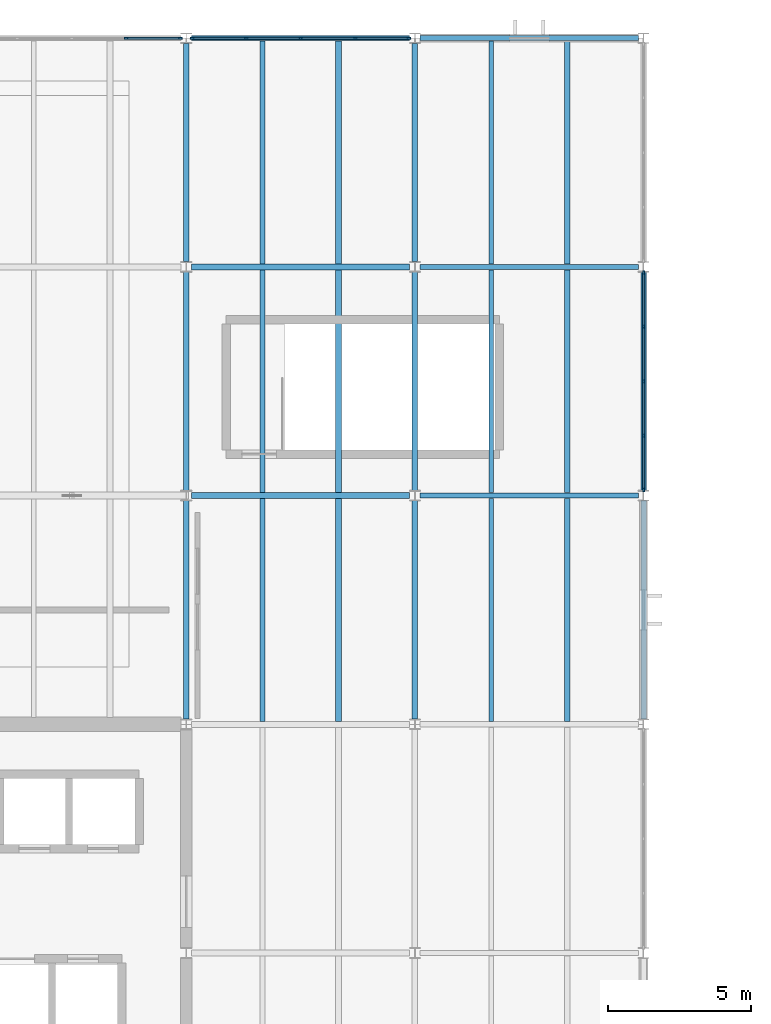
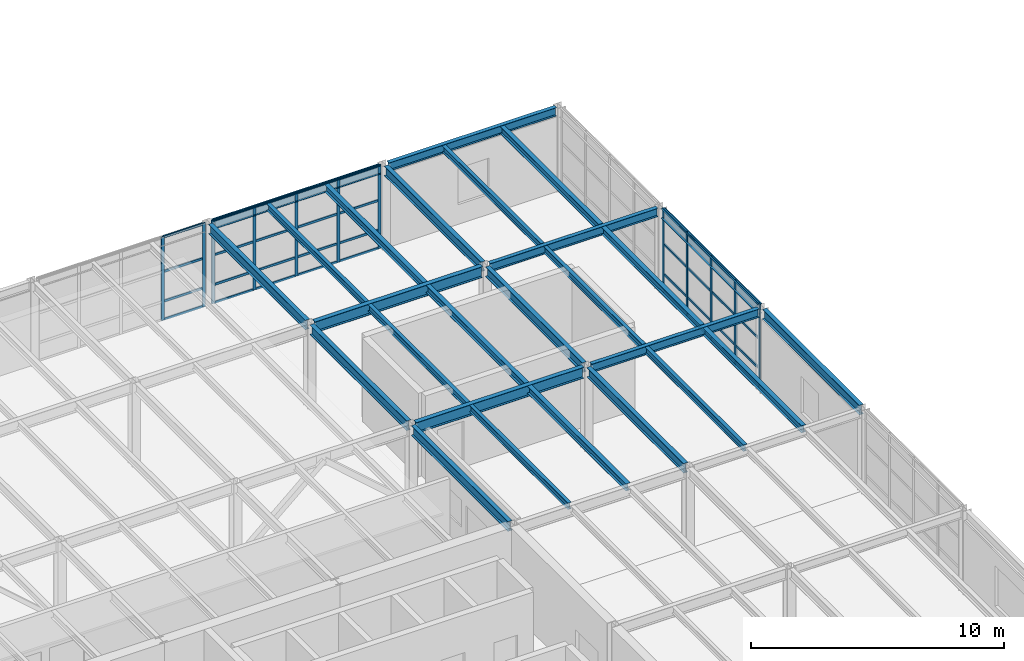
# One storey, part 15 of 34: 48 members, 26 beams, 3 elements without a shape of their own.
"""IFC4 building model written with IfcOpenShell, lengths in metres."""

from ifc_helpers import new_model, si_unit, direction, frame, origin, origin_2d, place, context, subcontext, project, spatial, rectangle, i_section, extrude, material, layer, layer_set, material_profile, profile_set, type_object, element, aggregate, save


model = new_model("IFC4")

# Units and contexts
model_context = context("Model", 3, precision=1e-05, world=origin(), true_north=direction((0.0, 1.0)))
body_context = subcontext(model_context, "Body", "Model", "MODEL_VIEW")
ifc_project = project(units=[si_unit("LENGTHUNIT", "METRE"), si_unit("AREAUNIT", "SQUARE_METRE"), si_unit("VOLUMEUNIT", "CUBIC_METRE"), si_unit("PLANEANGLEUNIT", "RADIAN"), si_unit("MASSUNIT", "GRAM", prefix="KILO")], contexts=[model_context])

# Site, building, storey
site_placement = place(None, origin())
site = spatial("IfcSite", under=ifc_project, at=site_placement, CompositionType="ELEMENT")
building_placement = place(site_placement, origin())
building = spatial("IfcBuilding", under=site, at=building_placement, Name="Varnela Railside Interchange", CompositionType="ELEMENT")
storey_placement = place(building_placement, frame((0.0, 0.0, 19.60009765625)))
storey = spatial("IfcBuildingStorey", under=building, at=storey_placement, Name="L04", CompositionType="ELEMENT", Elevation=19.60009765625)

# Beams
ifc_material_1 = material(Name="Steel AR 350 (350 MPa)", Category="steel")
ifc_material_profile_1 = material_profile(ifc_material_1, i_section(OverallWidth=0.1650390625, OverallDepth=0.31005859375, WebThickness=0.005859375, FlangeThickness=0.009765625, at=origin_2d()), Name="W310x38.7")
ifc_profile_set_1 = profile_set([ifc_material_profile_1], Name="Steel AR 350 (350 MPa)")
beam_type_1 = type_object("IfcBeamType", Name="Composite Floor Joist J-04", PredefinedType="JOIST", material=ifc_profile_set_1)
for number, where, z_axis, x_axis, name in (
    (1, (38.669921875, 70.1044921875, 3.864990234375), (0.0, 1.0, 0.0), (-1.0, 0.0, 0.0), "Composite Floor Joist J-04 (L04) (BM-2410)"),
    (2, (38.669921875, 78.1044921875, 3.864990234375), (0.0, 1.0, 0.0), (-1.0, 0.0, 0.0), "Composite Floor Joist J-04 (L04) (BM-2412)"),
    (3, (38.669921875, 86.1044921875, 3.864990234375), (0.0, 1.0, 0.0), (-1.0, 0.0, 0.0), "Composite Floor Joist J-04 (L04) (BM-2402)"),
    (4, (46.669921875, 70.1044921875, 3.864990234375), (0.0, 1.0, 0.0), (-1.0, 0.0, 0.0), "Composite Floor Joist J-04 (L04) (BM-2422)"),
    (5, (46.669921875, 78.1044921875, 3.864990234375), (0.0, 1.0, 0.0), (-1.0, 0.0, 0.0), "Composite Floor Joist J-04 (L04) (BM-2424)"),
    (6, (46.669921875, 86.1044921875, 3.864990234375), (0.0, 1.0, 0.0), (-1.0, 0.0, 0.0), "Composite Floor Joist J-04 (L04) (BM-2414)"),
):
    element("IfcBeam", number, at=place(storey_placement, frame(where, z_axis=z_axis, x_axis=x_axis)), inside=storey, type_object=beam_type_1, Name=name, PredefinedType="JOIST", context=body_context, shape_type="SweptSolid", body=[
        extrude(i_section(OverallWidth=0.1650390625, OverallDepth=0.31005859375, WebThickness=0.005859375, FlangeThickness=0.009765625, at=origin_2d()), origin(), (0.0, 0.0, 1.0), 7.791015625),
    ])
ifc_material_profile_2 = material_profile(ifc_material_1, i_section(OverallWidth=0.208984375, OverallDepth=0.532958984375, WebThickness=0.01025390625, FlangeThickness=0.015625, at=origin_2d()), Name="W530x92")
ifc_profile_set_2 = profile_set([ifc_material_profile_2], Name="Steel AR 350 (350 MPa)")
beam_type_2 = type_object("IfcBeamType", Name="Composite Girder B-18", PredefinedType="BEAM", material=ifc_profile_set_2)
for number, where, z_axis, x_axis, name in (
    (7, (36.18505859375, 78.0, 3.75341796875), (1.0, 0.0, 0.0), (0.0, 1.0, 0.0), "Composite Girder B-18 (L04) (BM-2456)"),
    (8, (36.18505859375, 86.0, 3.75341796875), (1.0, 0.0, 0.0), (0.0, 1.0, 0.0), "Composite Girder B-18 (L04) (BM-2465)"),
):
    element("IfcBeam", number, at=place(storey_placement, frame(where, z_axis=z_axis, x_axis=x_axis)), inside=storey, type_object=beam_type_2, Name=name, PredefinedType="BEAM", context=body_context, shape_type="SweptSolid", body=[
        extrude(i_section(OverallWidth=0.208984375, OverallDepth=0.532958984375, WebThickness=0.01025390625, FlangeThickness=0.015625, at=origin_2d()), origin(), (0.0, 0.0, 1.0), 7.6298828125),
    ])
ifc_material_profile_3 = material_profile(ifc_material_1, i_section(OverallWidth=0.202880859375, OverallDepth=0.346923828125, WebThickness=0.0078125, FlangeThickness=0.013427734375, at=origin_2d()), Name="W360x64")
ifc_profile_set_3 = profile_set([ifc_material_profile_3], Name="Steel AR 350 (350 MPa)")
beam_type_3 = type_object("IfcBeamType", Name="Composite Heavy Joist J-01", PredefinedType="JOIST", material=ifc_profile_set_3)
for number, where, z_axis, x_axis, name in (
    (9, (41.330078125, 70.1044921875, 3.846435546875), (0.0, 1.0, 0.0), (-1.0, 0.0, 0.0), "Composite Heavy Joist J-01 (L04) (BM-2411)"),
    (10, (41.330078125, 78.1044921875, 3.846435546875), (0.0, 1.0, 0.0), (-1.0, 0.0, 0.0), "Composite Heavy Joist J-01 (L04) (BM-2413)"),
    (11, (41.330078125, 86.1044921875, 3.846435546875), (0.0, 1.0, 0.0), (-1.0, 0.0, 0.0), "Composite Heavy Joist J-01 (L04) (BM-2403)"),
    (12, (49.330078125, 70.1044921875, 3.846435546875), (0.0, 1.0, 0.0), (-1.0, 0.0, 0.0), "Composite Heavy Joist J-01 (L04) (BM-2423)"),
    (13, (49.330078125, 78.1044921875, 3.846435546875), (0.0, 1.0, 0.0), (-1.0, 0.0, 0.0), "Composite Heavy Joist J-01 (L04) (BM-2425)"),
    (14, (49.330078125, 86.1044921875, 3.846435546875), (0.0, 1.0, 0.0), (-1.0, 0.0, 0.0), "Composite Heavy Joist J-01 (L04) (BM-2415)"),
):
    element("IfcBeam", number, at=place(storey_placement, frame(where, z_axis=z_axis, x_axis=x_axis)), inside=storey, type_object=beam_type_3, Name=name, PredefinedType="JOIST", context=body_context, shape_type="SweptSolid", body=[
        extrude(i_section(OverallWidth=0.202880859375, OverallDepth=0.346923828125, WebThickness=0.0078125, FlangeThickness=0.013427734375, at=origin_2d()), origin(), (0.0, 0.0, 1.0), 7.791015625),
    ])
ifc_material_profile_4 = material_profile(ifc_material_1, i_section(OverallWidth=0.194091796875, OverallDepth=0.468994140625, WebThickness=0.0126953125, FlangeThickness=0.0205078125, at=origin_2d()), Name="W460x106")
ifc_profile_set_4 = profile_set([ifc_material_profile_4], Name="Steel AR 350 (350 MPa)")
beam_type_4 = type_object("IfcBeamType", Name="Composite Primary Beam B-19", PredefinedType="BEAM", material=ifc_profile_set_4)
beam_placement = place(storey_placement, frame((36.0, 70.18408203125, 3.785400390625), z_axis=(0.0, 1.0, 0.0), x_axis=(-1.0, 0.0, 0.0)))
element("IfcBeam", 15, at=beam_placement, inside=storey, type_object=beam_type_4, Name="Composite Primary Beam B-19 (L04) (BM-2516)", PredefinedType="BEAM", context=body_context, shape_type="SweptSolid", body=[
    extrude(i_section(OverallWidth=0.194091796875, OverallDepth=0.468994140625, WebThickness=0.0126953125, FlangeThickness=0.0205078125, at=origin_2d()), origin(), (0.0, 0.0, 1.0), 7.635986328125),
])
for number, where, z_axis, x_axis, name in (
    (16, (36.0, 78.179931640625, 3.785400390625), (0.0, 1.0, 0.0), (-1.0, 0.0, 0.0), "Composite Primary Beam B-19 (L04) (BM-2517)"),
    (17, (44.0, 70.179931640625, 3.785400390625), (0.0, 1.0, 0.0), (-1.0, 0.0, 0.0), "Composite Primary Beam B-19 (L04) (BM-2522)"),
    (18, (44.0, 78.179931640625, 3.785400390625), (0.0, 1.0, 0.0), (-1.0, 0.0, 0.0), "Composite Primary Beam B-19 (L04) (BM-2523)"),
):
    element("IfcBeam", number, at=place(storey_placement, frame(where, z_axis=z_axis, x_axis=x_axis)), inside=storey, type_object=beam_type_4, Name=name, PredefinedType="BEAM", context=body_context, shape_type="SweptSolid", body=[
        extrude(i_section(OverallWidth=0.194091796875, OverallDepth=0.468994140625, WebThickness=0.0126953125, FlangeThickness=0.0205078125, at=origin_2d()), origin(), (0.0, 0.0, 1.0), 7.64013671875),
    ])

# Curtain wall, members
ifc_material_2 = material(Name="Aluminium 6063-T6", Category="aluminium")
ifc_layer = layer(ifc_material_2, 0.035888671875)
ifc_layer_set = layer_set([ifc_layer], Name="Aluminium 6063-T6")
curtain_wall_type = type_object("IfcCurtainWallType", Name="Operations Wing Facade Curtain Wall CW-03", PredefinedType="USERDEFINED", material=ifc_layer_set)
curtain_wall_1_placement = place(storey_placement, origin())
curtain_wall_1 = element("IfcCurtainWall", 19, at=curtain_wall_1_placement, inside=storey, type_object=curtain_wall_type, Name="Curtain Wall CW-03 (L04) (CW-107)", ObjectType="CURTAIN WALL", PredefinedType="USERDEFINED")
ifc_material_profile_5 = material_profile(ifc_material_2, rectangle(XDim=0.06005859375, YDim=0.139892578125, at=origin_2d()), Name="ALU 60x140")
ifc_profile_set_5 = profile_set([ifc_material_profile_5], Name="Aluminium 6063-T6")
member_type_1 = type_object("IfcMemberType", Name="Curtain Wall Mullion ML-01", PredefinedType="MULLION", material=ifc_profile_set_5)
member_1_placement = place(storey_placement, frame((33.907470703125, 94.0, 0.0), z_axis=(0.0, 0.0, 1.0), x_axis=(0.0, 1.0, 0.0)))
member_1 = element("IfcMember", 20, at=member_1_placement, type_object=member_type_1, Name="CW-03 mullion 4", PredefinedType="MULLION", context=body_context, shape_type="SweptSolid", body=[
    extrude(rectangle(XDim=0.06005859375, YDim=0.139892578125, at=origin_2d()), origin(), (0.0, 0.0, 1.0), 4.02001953125),
])
member_2_placement = place(storey_placement, frame((35.784912109375, 94.0, 0.0), z_axis=(0.0, 0.0, 1.0), x_axis=(0.0, 1.0, 0.0)))
member_2 = element("IfcMember", 21, at=member_2_placement, type_object=member_type_1, Name="CW-03 mullion 5", PredefinedType="MULLION", context=body_context, shape_type="SweptSolid", body=[
    extrude(rectangle(XDim=0.06005859375, YDim=0.139892578125, at=origin_2d()), origin(), (0.0, 0.0, 1.0), 4.02001953125),
])

curtain_wall_2_placement = place(storey_placement, origin())
curtain_wall_2 = element("IfcCurtainWall", 22, at=curtain_wall_2_placement, inside=storey, type_object=curtain_wall_type, Name="Curtain Wall CW-03 (L04) (CW-108)", ObjectType="CURTAIN WALL", PredefinedType="USERDEFINED")
member_3_placement = place(storey_placement, frame((36.215087890625, 94.0, 0.0), z_axis=(0.0, 0.0, 1.0), x_axis=(0.0, 1.0, 0.0)))
member_3 = element("IfcMember", 23, at=member_3_placement, type_object=member_type_1, Name="CW-03 mullion 1", PredefinedType="MULLION", context=body_context, shape_type="SweptSolid", body=[
    extrude(rectangle(XDim=0.06005859375, YDim=0.139892578125, at=origin_2d()), origin(), (0.0, 0.0, 1.0), 4.02001953125),
])
member_4_placement = place(storey_placement, frame((38.092529296875, 94.0, 0.0), z_axis=(0.0, 0.0, 1.0), x_axis=(0.0, 1.0, 0.0)))
member_4 = element("IfcMember", 24, at=member_4_placement, type_object=member_type_1, Name="CW-03 mullion 2", PredefinedType="MULLION", context=body_context, shape_type="SweptSolid", body=[
    extrude(rectangle(XDim=0.06005859375, YDim=0.139892578125, at=origin_2d()), origin(), (0.0, 0.0, 1.0), 4.02001953125),
])
member_5_placement = place(storey_placement, frame((40.0, 94.0, 0.0), z_axis=(0.0, 0.0, 1.0), x_axis=(0.0, 1.0, 0.0)))
member_5 = element("IfcMember", 25, at=member_5_placement, type_object=member_type_1, Name="CW-03 mullion 3", PredefinedType="MULLION", context=body_context, shape_type="SweptSolid", body=[
    extrude(rectangle(XDim=0.06005859375, YDim=0.139892578125, at=origin_2d()), origin(), (0.0, 0.0, 1.0), 4.02001953125),
])
member_6_placement = place(storey_placement, frame((41.907470703125, 94.0, 0.0), z_axis=(0.0, 0.0, 1.0), x_axis=(0.0, 1.0, 0.0)))
member_6 = element("IfcMember", 26, at=member_6_placement, type_object=member_type_1, Name="CW-03 mullion 4", PredefinedType="MULLION", context=body_context, shape_type="SweptSolid", body=[
    extrude(rectangle(XDim=0.06005859375, YDim=0.139892578125, at=origin_2d()), origin(), (0.0, 0.0, 1.0), 4.02001953125),
])
member_7_placement = place(storey_placement, frame((43.784912109375, 94.0, 0.0), z_axis=(0.0, 0.0, 1.0), x_axis=(0.0, 1.0, 0.0)))
member_7 = element("IfcMember", 27, at=member_7_placement, type_object=member_type_1, Name="CW-03 mullion 5", PredefinedType="MULLION", context=body_context, shape_type="SweptSolid", body=[
    extrude(rectangle(XDim=0.06005859375, YDim=0.139892578125, at=origin_2d()), origin(), (0.0, 0.0, 1.0), 4.02001953125),
])

curtain_wall_3_placement = place(storey_placement, origin())
curtain_wall_3 = element("IfcCurtainWall", 28, at=curtain_wall_3_placement, inside=storey, type_object=curtain_wall_type, Name="Curtain Wall CW-03 (L04) (CW-111)", ObjectType="CURTAIN WALL", PredefinedType="USERDEFINED")
member_8_placement = place(storey_placement, frame((52.0, 85.7900390625, 0.0), z_axis=(0.0, 0.0, 1.0), x_axis=(1.0, 0.0, 0.0)))
member_8 = element("IfcMember", 29, at=member_8_placement, type_object=member_type_1, Name="CW-03 mullion 1", PredefinedType="MULLION", context=body_context, shape_type="SweptSolid", body=[
    extrude(rectangle(XDim=0.06005859375, YDim=0.139892578125, at=origin_2d()), origin(), (0.0, 0.0, 1.0), 4.02001953125),
])
member_9_placement = place(storey_placement, frame((52.0, 83.909912109375, 0.0), z_axis=(0.0, 0.0, 1.0), x_axis=(1.0, 0.0, 0.0)))
member_9 = element("IfcMember", 30, at=member_9_placement, type_object=member_type_1, Name="CW-03 mullion 2", PredefinedType="MULLION", context=body_context, shape_type="SweptSolid", body=[
    extrude(rectangle(XDim=0.06005859375, YDim=0.139892578125, at=origin_2d()), origin(), (0.0, 0.0, 1.0), 4.02001953125),
])
member_10_placement = place(storey_placement, frame((52.0, 82.0, 0.0), z_axis=(0.0, 0.0, 1.0), x_axis=(1.0, 0.0, 0.0)))
member_10 = element("IfcMember", 31, at=member_10_placement, type_object=member_type_1, Name="CW-03 mullion 3", PredefinedType="MULLION", context=body_context, shape_type="SweptSolid", body=[
    extrude(rectangle(XDim=0.06005859375, YDim=0.139892578125, at=origin_2d()), origin(), (0.0, 0.0, 1.0), 4.02001953125),
])
member_11_placement = place(storey_placement, frame((52.0, 80.090087890625, 0.0), z_axis=(0.0, 0.0, 1.0), x_axis=(1.0, 0.0, 0.0)))
member_11 = element("IfcMember", 32, at=member_11_placement, type_object=member_type_1, Name="CW-03 mullion 4", PredefinedType="MULLION", context=body_context, shape_type="SweptSolid", body=[
    extrude(rectangle(XDim=0.06005859375, YDim=0.139892578125, at=origin_2d()), origin(), (0.0, 0.0, 1.0), 4.02001953125),
])
member_12_placement = place(storey_placement, frame((52.0, 78.2099609375, 0.0), z_axis=(0.0, 0.0, 1.0), x_axis=(1.0, 0.0, 0.0)))
member_12 = element("IfcMember", 33, at=member_12_placement, type_object=member_type_1, Name="CW-03 mullion 5", PredefinedType="MULLION", context=body_context, shape_type="SweptSolid", body=[
    extrude(rectangle(XDim=0.06005859375, YDim=0.139892578125, at=origin_2d()), origin(), (0.0, 0.0, 1.0), 4.02001953125),
])

# Member
ifc_material_profile_6 = material_profile(ifc_material_2, rectangle(XDim=0.06005859375, YDim=0.110107421875, at=origin_2d()), Name="ALU 60x110")
ifc_profile_set_6 = profile_set([ifc_material_profile_6], Name="Aluminium 6063-T6")
member_type_2 = type_object("IfcMemberType", Name="Curtain Wall Transom TR-01", PredefinedType="USERDEFINED", material=ifc_profile_set_6)
member_13_placement = place(storey_placement, frame((33.9375, 94.0, 0.02978515625), z_axis=(1.0, 0.0, 0.0), x_axis=(0.0, 1.0, 0.0)))
member_13 = element("IfcMember", 34, at=member_13_placement, type_object=member_type_2, Name="CW-03 transom 4.1", ObjectType="TRANSOM", PredefinedType="USERDEFINED", context=body_context, shape_type="SweptSolid", body=[
    extrude(rectangle(XDim=0.06005859375, YDim=0.110107421875, at=origin_2d()), origin(), (0.0, 0.0, 1.0), 1.8173828125),
])

member_14_placement = place(storey_placement, frame((33.9375, 94.0, 0.89990234375), z_axis=(1.0, 0.0, 0.0), x_axis=(0.0, 1.0, 0.0)))
member_14 = element("IfcMember", 35, at=member_14_placement, type_object=member_type_2, Name="CW-03 transom 4.2", ObjectType="TRANSOM", PredefinedType="USERDEFINED", context=body_context, shape_type="SweptSolid", body=[
    extrude(rectangle(XDim=0.06005859375, YDim=0.110107421875, at=origin_2d()), origin(), (0.0, 0.0, 1.0), 1.8173828125),
])

member_15_placement = place(storey_placement, frame((33.9375, 94.0, 2.33154296875), z_axis=(1.0, 0.0, 0.0), x_axis=(0.0, 1.0, 0.0)))
member_15 = element("IfcMember", 36, at=member_15_placement, type_object=member_type_2, Name="CW-03 transom 4.3", ObjectType="TRANSOM", PredefinedType="USERDEFINED", context=body_context, shape_type="SweptSolid", body=[
    extrude(rectangle(XDim=0.06005859375, YDim=0.110107421875, at=origin_2d()), origin(), (0.0, 0.0, 1.0), 1.8173828125),
])

member_16_placement = place(storey_placement, frame((33.9375, 94.0, 3.989990234375), z_axis=(1.0, 0.0, 0.0), x_axis=(0.0, 1.0, 0.0)))
member_16 = element("IfcMember", 37, at=member_16_placement, type_object=member_type_2, Name="CW-03 transom 4.4", ObjectType="TRANSOM", PredefinedType="USERDEFINED", context=body_context, shape_type="SweptSolid", body=[
    extrude(rectangle(XDim=0.06005859375, YDim=0.110107421875, at=origin_2d()), origin(), (0.0, 0.0, 1.0), 1.8173828125),
])

aggregate(curtain_wall_1, [member_1, member_2, member_13, member_14, member_15, member_16])

member_17_placement = place(storey_placement, frame((36.2451171875, 94.0, 0.02978515625), z_axis=(1.0, 0.0, 0.0), x_axis=(0.0, 1.0, 0.0)))
member_17 = element("IfcMember", 38, at=member_17_placement, type_object=member_type_2, Name="CW-03 transom 1.1", ObjectType="TRANSOM", PredefinedType="USERDEFINED", context=body_context, shape_type="SweptSolid", body=[
    extrude(rectangle(XDim=0.06005859375, YDim=0.110107421875, at=origin_2d()), origin(), (0.0, 0.0, 1.0), 1.8173828125),
])

member_18_placement = place(storey_placement, frame((36.2451171875, 94.0, 0.89990234375), z_axis=(1.0, 0.0, 0.0), x_axis=(0.0, 1.0, 0.0)))
member_18 = element("IfcMember", 39, at=member_18_placement, type_object=member_type_2, Name="CW-03 transom 1.2", ObjectType="TRANSOM", PredefinedType="USERDEFINED", context=body_context, shape_type="SweptSolid", body=[
    extrude(rectangle(XDim=0.06005859375, YDim=0.110107421875, at=origin_2d()), origin(), (0.0, 0.0, 1.0), 1.8173828125),
])

member_19_placement = place(storey_placement, frame((36.2451171875, 94.0, 2.33154296875), z_axis=(1.0, 0.0, 0.0), x_axis=(0.0, 1.0, 0.0)))
member_19 = element("IfcMember", 40, at=member_19_placement, type_object=member_type_2, Name="CW-03 transom 1.3", ObjectType="TRANSOM", PredefinedType="USERDEFINED", context=body_context, shape_type="SweptSolid", body=[
    extrude(rectangle(XDim=0.06005859375, YDim=0.110107421875, at=origin_2d()), origin(), (0.0, 0.0, 1.0), 1.8173828125),
])

member_20_placement = place(storey_placement, frame((36.2451171875, 94.0, 3.989990234375), z_axis=(1.0, 0.0, 0.0), x_axis=(0.0, 1.0, 0.0)))
member_20 = element("IfcMember", 41, at=member_20_placement, type_object=member_type_2, Name="CW-03 transom 1.4", ObjectType="TRANSOM", PredefinedType="USERDEFINED", context=body_context, shape_type="SweptSolid", body=[
    extrude(rectangle(XDim=0.06005859375, YDim=0.110107421875, at=origin_2d()), origin(), (0.0, 0.0, 1.0), 1.8173828125),
])

member_21_placement = place(storey_placement, frame((38.12255859375, 94.0, 0.02978515625), z_axis=(1.0, 0.0, 0.0), x_axis=(0.0, 1.0, 0.0)))
member_21 = element("IfcMember", 42, at=member_21_placement, type_object=member_type_2, Name="CW-03 transom 2.1", ObjectType="TRANSOM", PredefinedType="USERDEFINED", context=body_context, shape_type="SweptSolid", body=[
    extrude(rectangle(XDim=0.06005859375, YDim=0.110107421875, at=origin_2d()), origin(), (0.0, 0.0, 1.0), 1.847412109375),
])

member_22_placement = place(storey_placement, frame((38.12255859375, 94.0, 0.89990234375), z_axis=(1.0, 0.0, 0.0), x_axis=(0.0, 1.0, 0.0)))
member_22 = element("IfcMember", 43, at=member_22_placement, type_object=member_type_2, Name="CW-03 transom 2.2", ObjectType="TRANSOM", PredefinedType="USERDEFINED", context=body_context, shape_type="SweptSolid", body=[
    extrude(rectangle(XDim=0.06005859375, YDim=0.110107421875, at=origin_2d()), origin(), (0.0, 0.0, 1.0), 1.847412109375),
])

member_23_placement = place(storey_placement, frame((38.12255859375, 94.0, 2.33154296875), z_axis=(1.0, 0.0, 0.0), x_axis=(0.0, 1.0, 0.0)))
member_23 = element("IfcMember", 44, at=member_23_placement, type_object=member_type_2, Name="CW-03 transom 2.3", ObjectType="TRANSOM", PredefinedType="USERDEFINED", context=body_context, shape_type="SweptSolid", body=[
    extrude(rectangle(XDim=0.06005859375, YDim=0.110107421875, at=origin_2d()), origin(), (0.0, 0.0, 1.0), 1.847412109375),
])

member_24_placement = place(storey_placement, frame((38.12255859375, 94.0, 3.989990234375), z_axis=(1.0, 0.0, 0.0), x_axis=(0.0, 1.0, 0.0)))
member_24 = element("IfcMember", 45, at=member_24_placement, type_object=member_type_2, Name="CW-03 transom 2.4", ObjectType="TRANSOM", PredefinedType="USERDEFINED", context=body_context, shape_type="SweptSolid", body=[
    extrude(rectangle(XDim=0.06005859375, YDim=0.110107421875, at=origin_2d()), origin(), (0.0, 0.0, 1.0), 1.847412109375),
])

member_25_placement = place(storey_placement, frame((40.030029296875, 94.0, 0.02978515625), z_axis=(1.0, 0.0, 0.0), x_axis=(0.0, 1.0, 0.0)))
member_25 = element("IfcMember", 46, at=member_25_placement, type_object=member_type_2, Name="CW-03 transom 3.1", ObjectType="TRANSOM", PredefinedType="USERDEFINED", context=body_context, shape_type="SweptSolid", body=[
    extrude(rectangle(XDim=0.06005859375, YDim=0.110107421875, at=origin_2d()), origin(), (0.0, 0.0, 1.0), 1.847412109375),
])

member_26_placement = place(storey_placement, frame((40.030029296875, 94.0, 0.89990234375), z_axis=(1.0, 0.0, 0.0), x_axis=(0.0, 1.0, 0.0)))
member_26 = element("IfcMember", 47, at=member_26_placement, type_object=member_type_2, Name="CW-03 transom 3.2", ObjectType="TRANSOM", PredefinedType="USERDEFINED", context=body_context, shape_type="SweptSolid", body=[
    extrude(rectangle(XDim=0.06005859375, YDim=0.110107421875, at=origin_2d()), origin(), (0.0, 0.0, 1.0), 1.847412109375),
])

member_27_placement = place(storey_placement, frame((40.030029296875, 94.0, 2.33154296875), z_axis=(1.0, 0.0, 0.0), x_axis=(0.0, 1.0, 0.0)))
member_27 = element("IfcMember", 48, at=member_27_placement, type_object=member_type_2, Name="CW-03 transom 3.3", ObjectType="TRANSOM", PredefinedType="USERDEFINED", context=body_context, shape_type="SweptSolid", body=[
    extrude(rectangle(XDim=0.06005859375, YDim=0.110107421875, at=origin_2d()), origin(), (0.0, 0.0, 1.0), 1.847412109375),
])

member_28_placement = place(storey_placement, frame((40.030029296875, 94.0, 3.989990234375), z_axis=(1.0, 0.0, 0.0), x_axis=(0.0, 1.0, 0.0)))
member_28 = element("IfcMember", 49, at=member_28_placement, type_object=member_type_2, Name="CW-03 transom 3.4", ObjectType="TRANSOM", PredefinedType="USERDEFINED", context=body_context, shape_type="SweptSolid", body=[
    extrude(rectangle(XDim=0.06005859375, YDim=0.110107421875, at=origin_2d()), origin(), (0.0, 0.0, 1.0), 1.847412109375),
])

member_29_placement = place(storey_placement, frame((41.9375, 94.0, 0.02978515625), z_axis=(1.0, 0.0, 0.0), x_axis=(0.0, 1.0, 0.0)))
member_29 = element("IfcMember", 50, at=member_29_placement, type_object=member_type_2, Name="CW-03 transom 4.1", ObjectType="TRANSOM", PredefinedType="USERDEFINED", context=body_context, shape_type="SweptSolid", body=[
    extrude(rectangle(XDim=0.06005859375, YDim=0.110107421875, at=origin_2d()), origin(), (0.0, 0.0, 1.0), 1.8173828125),
])

member_30_placement = place(storey_placement, frame((41.9375, 94.0, 0.89990234375), z_axis=(1.0, 0.0, 0.0), x_axis=(0.0, 1.0, 0.0)))
member_30 = element("IfcMember", 51, at=member_30_placement, type_object=member_type_2, Name="CW-03 transom 4.2", ObjectType="TRANSOM", PredefinedType="USERDEFINED", context=body_context, shape_type="SweptSolid", body=[
    extrude(rectangle(XDim=0.06005859375, YDim=0.110107421875, at=origin_2d()), origin(), (0.0, 0.0, 1.0), 1.8173828125),
])

member_31_placement = place(storey_placement, frame((41.9375, 94.0, 2.33154296875), z_axis=(1.0, 0.0, 0.0), x_axis=(0.0, 1.0, 0.0)))
member_31 = element("IfcMember", 52, at=member_31_placement, type_object=member_type_2, Name="CW-03 transom 4.3", ObjectType="TRANSOM", PredefinedType="USERDEFINED", context=body_context, shape_type="SweptSolid", body=[
    extrude(rectangle(XDim=0.06005859375, YDim=0.110107421875, at=origin_2d()), origin(), (0.0, 0.0, 1.0), 1.8173828125),
])

member_32_placement = place(storey_placement, frame((41.9375, 94.0, 3.989990234375), z_axis=(1.0, 0.0, 0.0), x_axis=(0.0, 1.0, 0.0)))
member_32 = element("IfcMember", 53, at=member_32_placement, type_object=member_type_2, Name="CW-03 transom 4.4", ObjectType="TRANSOM", PredefinedType="USERDEFINED", context=body_context, shape_type="SweptSolid", body=[
    extrude(rectangle(XDim=0.06005859375, YDim=0.110107421875, at=origin_2d()), origin(), (0.0, 0.0, 1.0), 1.8173828125),
])

aggregate(curtain_wall_2, [member_3, member_4, member_5, member_6, member_7, member_17, member_18, member_19, member_20, member_21, member_22, member_23, member_24, member_25, member_26, member_27, member_28, member_29, member_30, member_31, member_32])

member_33_placement = place(storey_placement, frame((52.0, 85.760009765625, 0.02978515625), z_axis=(0.0, -1.0, 0.0), x_axis=(1.0, 0.0, 0.0)))
member_33 = element("IfcMember", 54, at=member_33_placement, type_object=member_type_2, Name="CW-03 transom 1.1", ObjectType="TRANSOM", PredefinedType="USERDEFINED", context=body_context, shape_type="SweptSolid", body=[
    extrude(rectangle(XDim=0.06005859375, YDim=0.110107421875, at=origin_2d()), origin(), (0.0, 0.0, 1.0), 1.820068359375),
])

member_34_placement = place(storey_placement, frame((52.0, 85.760009765625, 0.89990234375), z_axis=(0.0, -1.0, 0.0), x_axis=(1.0, 0.0, 0.0)))
member_34 = element("IfcMember", 55, at=member_34_placement, type_object=member_type_2, Name="CW-03 transom 1.2", ObjectType="TRANSOM", PredefinedType="USERDEFINED", context=body_context, shape_type="SweptSolid", body=[
    extrude(rectangle(XDim=0.06005859375, YDim=0.110107421875, at=origin_2d()), origin(), (0.0, 0.0, 1.0), 1.820068359375),
])

member_35_placement = place(storey_placement, frame((52.0, 85.760009765625, 2.33154296875), z_axis=(0.0, -1.0, 0.0), x_axis=(1.0, 0.0, 0.0)))
member_35 = element("IfcMember", 56, at=member_35_placement, type_object=member_type_2, Name="CW-03 transom 1.3", ObjectType="TRANSOM", PredefinedType="USERDEFINED", context=body_context, shape_type="SweptSolid", body=[
    extrude(rectangle(XDim=0.06005859375, YDim=0.110107421875, at=origin_2d()), origin(), (0.0, 0.0, 1.0), 1.820068359375),
])

member_36_placement = place(storey_placement, frame((52.0, 85.760009765625, 3.989990234375), z_axis=(0.0, -1.0, 0.0), x_axis=(1.0, 0.0, 0.0)))
member_36 = element("IfcMember", 57, at=member_36_placement, type_object=member_type_2, Name="CW-03 transom 1.4", ObjectType="TRANSOM", PredefinedType="USERDEFINED", context=body_context, shape_type="SweptSolid", body=[
    extrude(rectangle(XDim=0.06005859375, YDim=0.110107421875, at=origin_2d()), origin(), (0.0, 0.0, 1.0), 1.820068359375),
])

member_37_placement = place(storey_placement, frame((52.0, 83.8798828125, 0.02978515625), z_axis=(0.0, -1.0, 0.0), x_axis=(1.0, 0.0, 0.0)))
member_37 = element("IfcMember", 58, at=member_37_placement, type_object=member_type_2, Name="CW-03 transom 2.1", ObjectType="TRANSOM", PredefinedType="USERDEFINED", context=body_context, shape_type="SweptSolid", body=[
    extrude(rectangle(XDim=0.06005859375, YDim=0.110107421875, at=origin_2d()), origin(), (0.0, 0.0, 1.0), 1.849853515625),
])

member_38_placement = place(storey_placement, frame((52.0, 83.8798828125, 0.89990234375), z_axis=(0.0, -1.0, 0.0), x_axis=(1.0, 0.0, 0.0)))
member_38 = element("IfcMember", 59, at=member_38_placement, type_object=member_type_2, Name="CW-03 transom 2.2", ObjectType="TRANSOM", PredefinedType="USERDEFINED", context=body_context, shape_type="SweptSolid", body=[
    extrude(rectangle(XDim=0.06005859375, YDim=0.110107421875, at=origin_2d()), origin(), (0.0, 0.0, 1.0), 1.849853515625),
])

member_39_placement = place(storey_placement, frame((52.0, 83.8798828125, 2.33154296875), z_axis=(0.0, -1.0, 0.0), x_axis=(1.0, 0.0, 0.0)))
member_39 = element("IfcMember", 60, at=member_39_placement, type_object=member_type_2, Name="CW-03 transom 2.3", ObjectType="TRANSOM", PredefinedType="USERDEFINED", context=body_context, shape_type="SweptSolid", body=[
    extrude(rectangle(XDim=0.06005859375, YDim=0.110107421875, at=origin_2d()), origin(), (0.0, 0.0, 1.0), 1.849853515625),
])

member_40_placement = place(storey_placement, frame((52.0, 83.8798828125, 3.989990234375), z_axis=(0.0, -1.0, 0.0), x_axis=(1.0, 0.0, 0.0)))
member_40 = element("IfcMember", 61, at=member_40_placement, type_object=member_type_2, Name="CW-03 transom 2.4", ObjectType="TRANSOM", PredefinedType="USERDEFINED", context=body_context, shape_type="SweptSolid", body=[
    extrude(rectangle(XDim=0.06005859375, YDim=0.110107421875, at=origin_2d()), origin(), (0.0, 0.0, 1.0), 1.849853515625),
])

member_41_placement = place(storey_placement, frame((52.0, 81.969970703125, 0.02978515625), z_axis=(0.0, -1.0, 0.0), x_axis=(1.0, 0.0, 0.0)))
member_41 = element("IfcMember", 62, at=member_41_placement, type_object=member_type_2, Name="CW-03 transom 3.1", ObjectType="TRANSOM", PredefinedType="USERDEFINED", context=body_context, shape_type="SweptSolid", body=[
    extrude(rectangle(XDim=0.06005859375, YDim=0.110107421875, at=origin_2d()), origin(), (0.0, 0.0, 1.0), 1.849853515625),
])

member_42_placement = place(storey_placement, frame((52.0, 81.969970703125, 0.89990234375), z_axis=(0.0, -1.0, 0.0), x_axis=(1.0, 0.0, 0.0)))
member_42 = element("IfcMember", 63, at=member_42_placement, type_object=member_type_2, Name="CW-03 transom 3.2", ObjectType="TRANSOM", PredefinedType="USERDEFINED", context=body_context, shape_type="SweptSolid", body=[
    extrude(rectangle(XDim=0.06005859375, YDim=0.110107421875, at=origin_2d()), origin(), (0.0, 0.0, 1.0), 1.849853515625),
])

member_43_placement = place(storey_placement, frame((52.0, 81.969970703125, 2.33154296875), z_axis=(0.0, -1.0, 0.0), x_axis=(1.0, 0.0, 0.0)))
member_43 = element("IfcMember", 64, at=member_43_placement, type_object=member_type_2, Name="CW-03 transom 3.3", ObjectType="TRANSOM", PredefinedType="USERDEFINED", context=body_context, shape_type="SweptSolid", body=[
    extrude(rectangle(XDim=0.06005859375, YDim=0.110107421875, at=origin_2d()), origin(), (0.0, 0.0, 1.0), 1.849853515625),
])

member_44_placement = place(storey_placement, frame((52.0, 81.969970703125, 3.989990234375), z_axis=(0.0, -1.0, 0.0), x_axis=(1.0, 0.0, 0.0)))
member_44 = element("IfcMember", 65, at=member_44_placement, type_object=member_type_2, Name="CW-03 transom 3.4", ObjectType="TRANSOM", PredefinedType="USERDEFINED", context=body_context, shape_type="SweptSolid", body=[
    extrude(rectangle(XDim=0.06005859375, YDim=0.110107421875, at=origin_2d()), origin(), (0.0, 0.0, 1.0), 1.849853515625),
])

member_45_placement = place(storey_placement, frame((52.0, 80.06005859375, 0.02978515625), z_axis=(0.0, -1.0, 0.0), x_axis=(1.0, 0.0, 0.0)))
member_45 = element("IfcMember", 66, at=member_45_placement, type_object=member_type_2, Name="CW-03 transom 4.1", ObjectType="TRANSOM", PredefinedType="USERDEFINED", context=body_context, shape_type="SweptSolid", body=[
    extrude(rectangle(XDim=0.06005859375, YDim=0.110107421875, at=origin_2d()), origin(), (0.0, 0.0, 1.0), 1.820068359375),
])

member_46_placement = place(storey_placement, frame((52.0, 80.06005859375, 0.89990234375), z_axis=(0.0, -1.0, 0.0), x_axis=(1.0, 0.0, 0.0)))
member_46 = element("IfcMember", 67, at=member_46_placement, type_object=member_type_2, Name="CW-03 transom 4.2", ObjectType="TRANSOM", PredefinedType="USERDEFINED", context=body_context, shape_type="SweptSolid", body=[
    extrude(rectangle(XDim=0.06005859375, YDim=0.110107421875, at=origin_2d()), origin(), (0.0, 0.0, 1.0), 1.820068359375),
])

member_47_placement = place(storey_placement, frame((52.0, 80.06005859375, 2.33154296875), z_axis=(0.0, -1.0, 0.0), x_axis=(1.0, 0.0, 0.0)))
member_47 = element("IfcMember", 68, at=member_47_placement, type_object=member_type_2, Name="CW-03 transom 4.3", ObjectType="TRANSOM", PredefinedType="USERDEFINED", context=body_context, shape_type="SweptSolid", body=[
    extrude(rectangle(XDim=0.06005859375, YDim=0.110107421875, at=origin_2d()), origin(), (0.0, 0.0, 1.0), 1.820068359375),
])

member_48_placement = place(storey_placement, frame((52.0, 80.06005859375, 3.989990234375), z_axis=(0.0, -1.0, 0.0), x_axis=(1.0, 0.0, 0.0)))
member_48 = element("IfcMember", 69, at=member_48_placement, type_object=member_type_2, Name="CW-03 transom 4.4", ObjectType="TRANSOM", PredefinedType="USERDEFINED", context=body_context, shape_type="SweptSolid", body=[
    extrude(rectangle(XDim=0.06005859375, YDim=0.110107421875, at=origin_2d()), origin(), (0.0, 0.0, 1.0), 1.820068359375),
])

aggregate(curtain_wall_3, [member_8, member_9, member_10, member_11, member_12, member_33, member_34, member_35, member_36, member_37, member_38, member_39, member_40, member_41, member_42, member_43, member_44, member_45, member_46, member_47, member_48])

# Beams
ifc_material_profile_7 = material_profile(ifc_material_1, i_section(OverallWidth=0.19091796875, OverallDepth=0.4599609375, WebThickness=0.010009765625, FlangeThickness=0.01611328125, at=origin_2d()), Name="W460x82")
ifc_profile_set_7 = profile_set([ifc_material_profile_7], Name="Steel AR 350 (350 MPa)")
beam_type_5 = type_object("IfcBeamType", Name="Steel Perimeter Spandrel SP-01", PredefinedType="SPANDREL", material=ifc_profile_set_7)
for number, where, z_axis, x_axis, name in (
    (70, (36.0, 86.179931640625, 3.789794921875), (0.0, 1.0, 0.0), (-1.0, 0.0, 0.0), "Steel Perimeter Spandrel SP-01 (L04) (BM-2518)"),
    (71, (44.0, 86.179931640625, 3.789794921875), (0.0, 1.0, 0.0), (-1.0, 0.0, 0.0), "Steel Perimeter Spandrel SP-01 (L04) (BM-2524)"),
    (72, (52.0, 70.179931640625, 3.789794921875), (0.0, 1.0, 0.0), (-1.0, 0.0, 0.0), "Steel Perimeter Spandrel SP-01 (L04) (BM-2528)"),
    (73, (52.0, 78.179931640625, 3.789794921875), (0.0, 1.0, 0.0), (-1.0, 0.0, 0.0), "Steel Perimeter Spandrel SP-01 (L04) (BM-2529)"),
):
    element("IfcBeam", number, at=place(storey_placement, frame(where, z_axis=z_axis, x_axis=x_axis)), inside=storey, type_object=beam_type_5, Name=name, PredefinedType="SPANDREL", context=body_context, shape_type="SweptSolid", body=[
        extrude(i_section(OverallWidth=0.19091796875, OverallDepth=0.4599609375, WebThickness=0.010009765625, FlangeThickness=0.01611328125, at=origin_2d()), origin(), (0.0, 0.0, 1.0), 7.64013671875),
    ])
ifc_material_profile_8 = material_profile(ifc_material_1, i_section(OverallWidth=0.178955078125, OverallDepth=0.409912109375, WebThickness=0.0087890625, FlangeThickness=0.014404296875, at=origin_2d()), Name="W410x67")
ifc_profile_set_8 = profile_set([ifc_material_profile_8], Name="Steel AR 350 (350 MPa)")
beam_type_6 = type_object("IfcBeamType", Name="Steel Terrace Spandrel SP-02", PredefinedType="SPANDREL", material=ifc_profile_set_8)
for number, where, z_axis, x_axis, name in (
    (74, (44.18505859375, 78.0, 3.81494140625), (1.0, 0.0, 0.0), (0.0, 1.0, 0.0), "Steel Terrace Spandrel SP-02 (L04) (BM-2457)"),
    (75, (44.18505859375, 86.0, 3.81494140625), (1.0, 0.0, 0.0), (0.0, 1.0, 0.0), "Steel Terrace Spandrel SP-02 (L04) (BM-2466)"),
    (76, (36.18505859375, 94.0, 3.81494140625), (1.0, 0.0, 0.0), (0.0, 1.0, 0.0), "Steel Terrace Spandrel SP-02 (L04) (BM-2474)"),
    (77, (44.18505859375, 94.0, 3.81494140625), (1.0, 0.0, 0.0), (0.0, 1.0, 0.0), "Steel Terrace Spandrel SP-02 (L04) (BM-2475)"),
):
    element("IfcBeam", number, at=place(storey_placement, frame(where, z_axis=z_axis, x_axis=x_axis)), inside=storey, type_object=beam_type_6, Name=name, PredefinedType="SPANDREL", context=body_context, shape_type="SweptSolid", body=[
        extrude(i_section(OverallWidth=0.178955078125, OverallDepth=0.409912109375, WebThickness=0.0087890625, FlangeThickness=0.014404296875, at=origin_2d()), origin(), (0.0, 0.0, 1.0), 7.6298828125),
    ])

save(model, "model.ifc")
